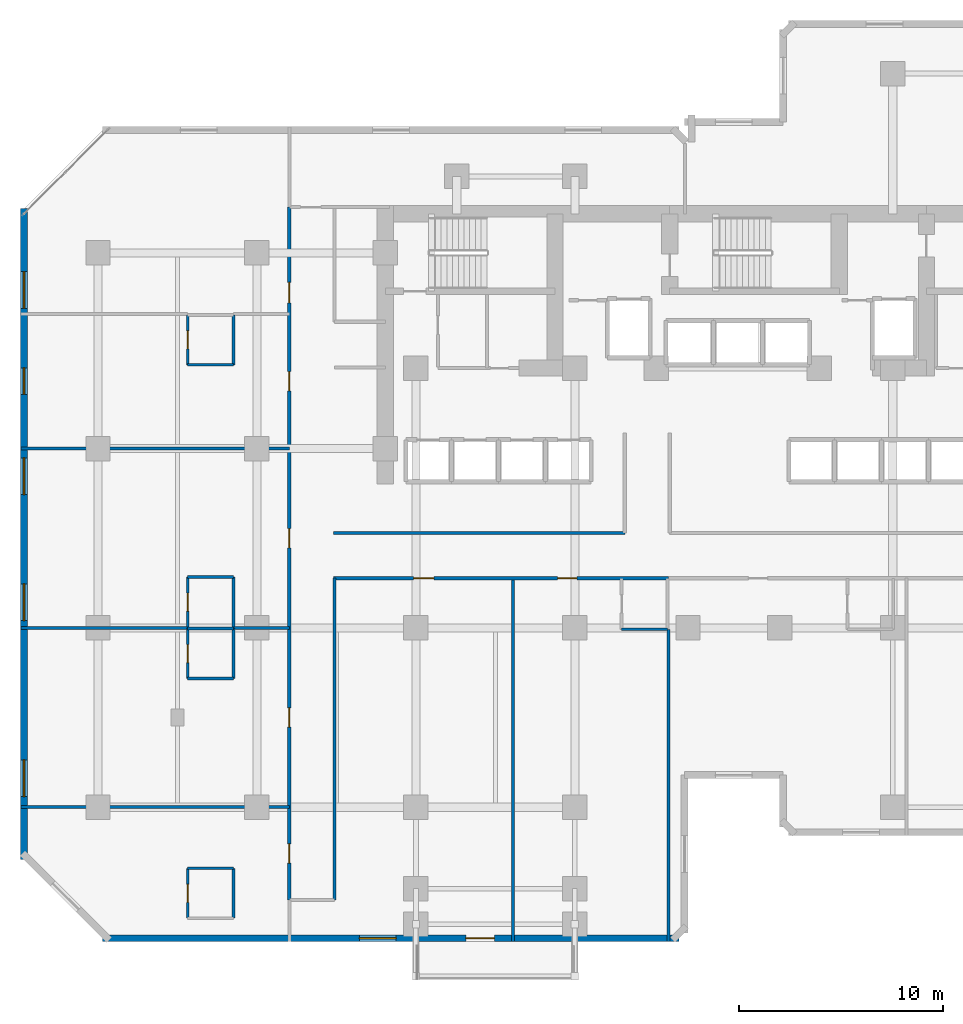
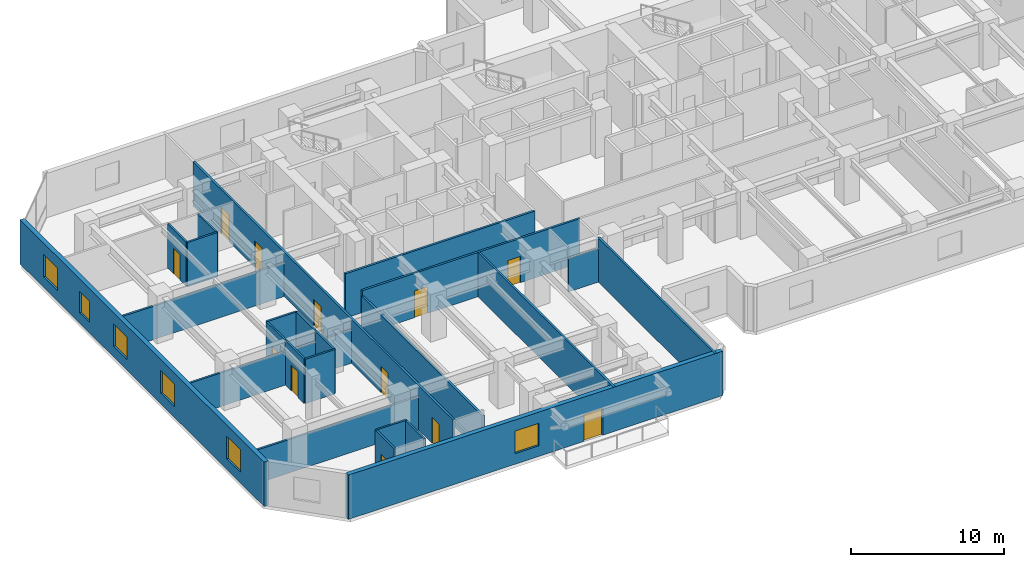
# One storey, part 6 of 12: 26 walls, 12 doors, 6 windows, 18 openings.
"""IFC4 building model written with IfcOpenShell, lengths in metres."""

from ifc_helpers import new_model, si_unit, direction, frame, frame_2d, origin, place, context, subcontext, project, spatial, rectangle, extrude, material, layer, layer_set, type_object, element, fill, save


model = new_model("IFC4")

# Units and contexts
model_context = context("Model", 3, precision=1e-05, world=origin(), true_north=direction((0.0, 1.0)))
body_context = subcontext(model_context, "Body", "Model", "MODEL_VIEW")
ifc_project = project(units=[si_unit("LENGTHUNIT", "METRE"), si_unit("AREAUNIT", "SQUARE_METRE"), si_unit("VOLUMEUNIT", "CUBIC_METRE"), si_unit("PLANEANGLEUNIT", "RADIAN"), si_unit("MASSUNIT", "GRAM", prefix="KILO")], contexts=[model_context])

# Site, building, storey
site_placement = place(None, origin())
site = spatial("IfcSite", under=ifc_project, at=site_placement, CompositionType="ELEMENT")
building_placement = place(site_placement, origin())
building = spatial("IfcBuilding", under=site, at=building_placement, Name="Kestravale Grand Hotel", CompositionType="ELEMENT")
storey_placement = place(building_placement, frame((0.0, 0.0, 99.39990234375)))
storey = spatial("IfcBuildingStorey", under=building, at=storey_placement, Name="L24", CompositionType="ELEMENT", Elevation=99.39990234375)

# Wall, openings, door, window
ifc_material_1 = material(Name="Precast concrete f'c 45 MPa", Category="concrete")
ifc_layer_1 = layer(ifc_material_1, 0.340087890625)
ifc_layer_set_1 = layer_set([ifc_layer_1], Name="EW-PREC-340")
wall_type_1 = type_object("IfcWallType", Name="EW-PREC-340", PredefinedType="SOLIDWALL", material=ifc_layer_set_1)
wall_1_placement = place(storey_placement, frame((8.030029296875, 4.77001953125, 0.0), z_axis=(0.0, 0.0, 1.0), x_axis=(1.0, 0.0, 0.0)))
wall_1 = element("IfcWall", 1, at=wall_1_placement, inside=storey, type_object=wall_type_1, Name="L24 fluted precast facade wall 1", PredefinedType="SOLIDWALL", context=body_context, shape_type="SweptSolid", body=[
    extrude(rectangle(XDim=28.2900390625, YDim=0.340087890625, at=frame_2d((14.14501953125, 0.0))), origin(), (0.0, 0.0, 1.0), 3.5400390625),
])
opening_1_placement = place(wall_1_placement, frame((17.820068359375, 0.0, 0.0)))
opening_1 = element("IfcOpeningElement", 2, at=opening_1_placement, cuts=wall_1, Name="Opening D-TERR-1400", PredefinedType="OPENING", context=body_context, shape_type="SweptSolid", body=[
    extrude(rectangle(XDim=1.39990234375, YDim=2.14990234375, at=frame_2d((0.699951171875, 1.074951171875))), frame((0.0, 0.179931640625, 0.0), z_axis=(0.0, -1.0, 0.0), x_axis=(1.0, 0.0, 0.0)), (0.0, 0.0, 1.0), 0.360107421875),
])
opening_2_placement = place(wall_1_placement, frame((12.594970703125, 0.0, 0.85009765625)))
opening_2 = element("IfcOpeningElement", 3, at=opening_2_placement, cuts=wall_1, Name="Opening W-GUEST-1800", PredefinedType="OPENING", context=body_context, shape_type="SweptSolid", body=[
    extrude(rectangle(XDim=1.800048828125, YDim=1.800048828125, at=frame_2d((0.89990234375, 0.89990234375))), frame((0.0, 0.179931640625, 0.0), z_axis=(0.0, -1.0, 0.0), x_axis=(1.0, 0.0, 0.0)), (0.0, 0.0, 1.0), 0.360107421875),
])
ifc_material_2 = material(Name="Insulated glazed champagne-bronze aluminium door", Category="aluminium")
door_type_1 = type_object("IfcDoorType", Name="D-TERR-1400", OperationType="NOTDEFINED", PredefinedType="DOOR", material=ifc_material_2)
door_1_placement = place(opening_1_placement, origin())
door_1 = element("IfcDoor", 4, at=door_1_placement, inside=storey, type_object=door_type_1, Name="L24 outdoor garden terrace door", OperationType="DOUBLE_DOOR_SINGLE_SWING", OverallHeight=2.14990234375, OverallWidth=1.39990234375, PredefinedType="DOOR", context=body_context, shape_type="SweptSolid", body=[
    extrude(rectangle(XDim=1.39990234375, YDim=2.14990234375, at=frame_2d((0.699951171875, 1.074951171875))), frame((0.0, 0.02490234375, 0.0), z_axis=(0.0, -1.0, 0.0), x_axis=(1.0, 0.0, 0.0)), (0.0, 0.0, 1.0), 0.050048828125),
])
fill(opening_1, door_1)
ifc_material_3 = material(Name="Insulated low-E double glazing in aluminium frame", Category="aluminium")
window_type_1 = type_object("IfcWindowType", Name="W-GUEST-1800", PartitioningType="DOUBLE_PANEL_VERTICAL", PredefinedType="WINDOW", material=ifc_material_3)
window_1_placement = place(opening_2_placement, origin())
window_1 = element("IfcWindow", 5, at=window_1_placement, inside=storey, type_object=window_type_1, Name="L24 exterior window 1.1", OverallHeight=1.800048828125, OverallWidth=1.800048828125, PartitioningType="SINGLE_PANEL", PredefinedType="WINDOW", context=body_context, shape_type="SweptSolid", body=[
    extrude(rectangle(XDim=1.800048828125, YDim=1.800048828125, at=frame_2d((0.89990234375, 0.89990234375))), frame((0.0, 0.030029296875, 0.0), z_axis=(0.0, -1.0, 0.0), x_axis=(1.0, 0.0, 0.0)), (0.0, 0.0, 1.0), 0.06005859375),
])
fill(opening_2, window_1)

# Wall, openings, windows
wall_2_placement = place(storey_placement, frame((4.169921875, 40.570068359375, 0.0), z_axis=(0.0, 0.0, 1.0), x_axis=(0.0, -1.0, 0.0)))
wall_2 = element("IfcWall", 6, at=wall_2_placement, inside=storey, type_object=wall_type_1, Name="L24 fluted precast facade wall 19", PredefinedType="SOLIDWALL", context=body_context, shape_type="SweptSolid", body=[
    extrude(rectangle(XDim=31.940185546875, YDim=0.340087890625, at=frame_2d((15.97021484375, 0.0))), origin(), (0.0, 0.0, 1.0), 3.5400390625),
])
opening_3_placement = place(wall_2_placement, frame((3.092529296875, 0.0, 0.85009765625)))
opening_3 = element("IfcOpeningElement", 7, at=opening_3_placement, cuts=wall_2, Name="Opening W-GUEST-1800", PredefinedType="OPENING", context=body_context, shape_type="SweptSolid", body=[
    extrude(rectangle(XDim=1.800048828125, YDim=1.800048828125, at=frame_2d((0.89990234375, 0.89990234375))), frame((0.0, 0.179931640625, 0.0), z_axis=(0.0, -1.0, 0.0), x_axis=(1.0, 0.0, 0.0)), (0.0, 0.0, 1.0), 0.360107421875),
])
opening_4_placement = place(wall_2_placement, frame((12.2275390625, 0.0, 0.85009765625)))
opening_4 = element("IfcOpeningElement", 8, at=opening_4_placement, cuts=wall_2, Name="Opening W-GUEST-1800", PredefinedType="OPENING", context=body_context, shape_type="SweptSolid", body=[
    extrude(rectangle(XDim=1.800048828125, YDim=1.800048828125, at=frame_2d((0.89990234375, 0.89990234375))), frame((0.0, 0.179931640625, 0.0), z_axis=(0.0, -1.0, 0.0), x_axis=(1.0, 0.0, 0.0)), (0.0, 0.0, 1.0), 0.360107421875),
])
opening_5_placement = place(wall_2_placement, frame((18.41259765625, 0.0, 0.85009765625)))
opening_5 = element("IfcOpeningElement", 9, at=opening_5_placement, cuts=wall_2, Name="Opening W-GUEST-1800", PredefinedType="OPENING", context=body_context, shape_type="SweptSolid", body=[
    extrude(rectangle(XDim=1.800048828125, YDim=1.800048828125, at=frame_2d((0.89990234375, 0.89990234375))), frame((0.0, 0.179931640625, 0.0), z_axis=(0.0, -1.0, 0.0), x_axis=(1.0, 0.0, 0.0)), (0.0, 0.0, 1.0), 0.360107421875),
])
opening_6_placement = place(wall_2_placement, frame((27.047607421875, 0.0, 0.85009765625)))
opening_6 = element("IfcOpeningElement", 10, at=opening_6_placement, cuts=wall_2, Name="Opening W-GUEST-1800", PredefinedType="OPENING", context=body_context, shape_type="SweptSolid", body=[
    extrude(rectangle(XDim=1.800048828125, YDim=1.800048828125, at=frame_2d((0.89990234375, 0.89990234375))), frame((0.0, 0.179931640625, 0.0), z_axis=(0.0, -1.0, 0.0), x_axis=(1.0, 0.0, 0.0)), (0.0, 0.0, 1.0), 0.360107421875),
])
opening_7_placement = place(wall_2_placement, frame((7.81005859375, 0.0, 0.85009765625)))
opening_7 = element("IfcOpeningElement", 11, at=opening_7_placement, cuts=wall_2, Name="Opening W-GUEST-1300", PredefinedType="OPENING", context=body_context, shape_type="SweptSolid", body=[
    extrude(rectangle(XDim=1.300048828125, YDim=1.699951171875, at=frame_2d((0.64990234375, 0.85009765625))), frame((0.0, 0.179931640625, 0.0), z_axis=(0.0, -1.0, 0.0), x_axis=(1.0, 0.0, 0.0)), (0.0, 0.0, 1.0), 0.360107421875),
])
ifc_material_4 = material(Name="Insulated low-E double glazing in aluminium frame", Category="aluminium")
window_type_2 = type_object("IfcWindowType", Name="W-GUEST-1300", PartitioningType="SINGLE_PANEL", PredefinedType="WINDOW", material=ifc_material_4)
window_2_placement = place(opening_7_placement, origin())
window_2 = element("IfcWindow", 12, at=window_2_placement, inside=storey, type_object=window_type_2, Name="L24 guestroom envelope window 1", OverallHeight=1.699951171875, OverallWidth=1.300048828125, PartitioningType="SINGLE_PANEL", PredefinedType="WINDOW", context=body_context, shape_type="SweptSolid", body=[
    extrude(rectangle(XDim=1.300048828125, YDim=1.699951171875, at=frame_2d((0.64990234375, 0.85009765625))), frame((0.0, 0.030029296875, 0.0), z_axis=(0.0, -1.0, 0.0), x_axis=(1.0, 0.0, 0.0)), (0.0, 0.0, 1.0), 0.06005859375),
])
fill(opening_7, window_2)
window_3_placement = place(opening_3_placement, origin())
window_3 = element("IfcWindow", 13, at=window_3_placement, inside=storey, type_object=window_type_1, Name="L24 exterior window 19.1", OverallHeight=1.800048828125, OverallWidth=1.800048828125, PartitioningType="SINGLE_PANEL", PredefinedType="WINDOW", context=body_context, shape_type="SweptSolid", body=[
    extrude(rectangle(XDim=1.800048828125, YDim=1.800048828125, at=frame_2d((0.89990234375, 0.89990234375))), frame((0.0, 0.030029296875, 0.0), z_axis=(0.0, -1.0, 0.0), x_axis=(1.0, 0.0, 0.0)), (0.0, 0.0, 1.0), 0.06005859375),
])
fill(opening_3, window_3)
window_4_placement = place(opening_4_placement, origin())
window_4 = element("IfcWindow", 14, at=window_4_placement, inside=storey, type_object=window_type_1, Name="L24 exterior window 19.2", OverallHeight=1.800048828125, OverallWidth=1.800048828125, PartitioningType="SINGLE_PANEL", PredefinedType="WINDOW", context=body_context, shape_type="SweptSolid", body=[
    extrude(rectangle(XDim=1.800048828125, YDim=1.800048828125, at=frame_2d((0.89990234375, 0.89990234375))), frame((0.0, 0.030029296875, 0.0), z_axis=(0.0, -1.0, 0.0), x_axis=(1.0, 0.0, 0.0)), (0.0, 0.0, 1.0), 0.06005859375),
])
fill(opening_4, window_4)
window_5_placement = place(opening_5_placement, origin())
window_5 = element("IfcWindow", 15, at=window_5_placement, inside=storey, type_object=window_type_1, Name="L24 exterior window 19.3", OverallHeight=1.800048828125, OverallWidth=1.800048828125, PartitioningType="SINGLE_PANEL", PredefinedType="WINDOW", context=body_context, shape_type="SweptSolid", body=[
    extrude(rectangle(XDim=1.800048828125, YDim=1.800048828125, at=frame_2d((0.89990234375, 0.89990234375))), frame((0.0, 0.030029296875, 0.0), z_axis=(0.0, -1.0, 0.0), x_axis=(1.0, 0.0, 0.0)), (0.0, 0.0, 1.0), 0.06005859375),
])
fill(opening_5, window_5)
window_6_placement = place(opening_6_placement, origin())
window_6 = element("IfcWindow", 16, at=window_6_placement, inside=storey, type_object=window_type_1, Name="L24 exterior window 19.4", OverallHeight=1.800048828125, OverallWidth=1.800048828125, PartitioningType="SINGLE_PANEL", PredefinedType="WINDOW", context=body_context, shape_type="SweptSolid", body=[
    extrude(rectangle(XDim=1.800048828125, YDim=1.800048828125, at=frame_2d((0.89990234375, 0.89990234375))), frame((0.0, 0.030029296875, 0.0), z_axis=(0.0, -1.0, 0.0), x_axis=(1.0, 0.0, 0.0)), (0.0, 0.0, 1.0), 0.06005859375),
])
fill(opening_6, window_6)

# Wall
ifc_material_5 = material(Name="Acoustic fire-rated gypsum board partition", Category="other")
ifc_layer_2 = layer(ifc_material_5, 0.159912109375)
ifc_layer_set_2 = layer_set([ifc_layer_2], Name="IW-CORR-160")
wall_type_2 = type_object("IfcWallType", Name="IW-CORR-160", PredefinedType="PARTITIONING", material=ifc_layer_set_2)
wall_3_placement = place(storey_placement, frame((19.35009765625, 24.659912109375, 0.0), z_axis=(0.0, 0.0, 1.0), x_axis=(1.0, 0.0, 0.0)))
element("IfcWall", 17, at=wall_3_placement, inside=storey, type_object=wall_type_2, Name="W-L24-CW-N", PredefinedType="PARTITIONING", context=body_context, shape_type="SweptSolid", body=[
    extrude(rectangle(XDim=14.2998046875, YDim=0.159912109375, at=frame_2d((7.14990234375, 0.0))), origin(), (0.0, 0.0, 1.0), 3.5400390625),
])

# Wall, openings, doors
wall_4_placement = place(storey_placement, frame((19.35009765625, 22.43994140625, 0.0), z_axis=(0.0, 0.0, 1.0), x_axis=(1.0, 0.0, 0.0)))
wall_4 = element("IfcWall", 18, at=wall_4_placement, inside=storey, type_object=wall_type_2, Name="W-L24-CW-S", PredefinedType="PARTITIONING", context=body_context, shape_type="SweptSolid", body=[
    extrude(rectangle(XDim=16.449951171875, YDim=0.159912109375, at=frame_2d((8.22509765625, 0.0))), origin(), (0.0, 0.0, 1.0), 3.5400390625),
])
opening_8_placement = place(wall_4_placement, frame((3.9326171875, 0.0, 0.0)))
opening_8 = element("IfcOpeningElement", 19, at=opening_8_placement, cuts=wall_4, Name="Opening D-GUEST-1000", PredefinedType="OPENING", context=body_context, shape_type="SweptSolid", body=[
    extrude(rectangle(XDim=1.0, YDim=2.14990234375, at=frame_2d((0.5, 1.074951171875))), frame((0.0, 0.08984375, 0.0), z_axis=(0.0, -1.0, 0.0), x_axis=(1.0, 0.0, 0.0)), (0.0, 0.0, 1.0), 0.179931640625),
])
opening_9_placement = place(wall_4_placement, frame((10.99755859375, 0.0, 0.0)))
opening_9 = element("IfcOpeningElement", 20, at=opening_9_placement, cuts=wall_4, Name="Opening D-GUEST-950", PredefinedType="OPENING", context=body_context, shape_type="SweptSolid", body=[
    extrude(rectangle(XDim=0.949951171875, YDim=2.10009765625, at=frame_2d((0.47509765625, 1.050048828125))), frame((0.0, 0.08984375, 0.0), z_axis=(0.0, -1.0, 0.0), x_axis=(1.0, 0.0, 0.0)), (0.0, 0.0, 1.0), 0.179931640625),
])
ifc_material_6 = material(Name="Accessible walnut veneer hotel entrance fire door", Category="wood")
door_type_2 = type_object("IfcDoorType", Name="D-GUEST-1000", OperationType="NOTDEFINED", PredefinedType="DOOR", material=ifc_material_6)
door_2_placement = place(opening_8_placement, origin())
door_2 = element("IfcDoor", 21, at=door_2_placement, inside=storey, type_object=door_type_2, Name="D-L24-AMW", OperationType="SINGLE_SWING_LEFT", OverallHeight=2.14990234375, OverallWidth=1.0, PredefinedType="DOOR", context=body_context, shape_type="SweptSolid", body=[
    extrude(rectangle(XDim=1.0, YDim=2.14990234375, at=frame_2d((0.5, 1.074951171875))), frame((0.0, 0.02490234375, 0.0), z_axis=(0.0, -1.0, 0.0), x_axis=(1.0, 0.0, 0.0)), (0.0, 0.0, 1.0), 0.050048828125),
])
fill(opening_8, door_2)
ifc_material_7 = material(Name="Walnut veneer hotel guestroom entrance fire door", Category="wood")
door_type_3 = type_object("IfcDoorType", Name="D-GUEST-950", OperationType="NOTDEFINED", PredefinedType="DOOR", material=ifc_material_7)
door_3_placement = place(opening_9_placement, origin())
door_3 = element("IfcDoor", 22, at=door_3_placement, inside=storey, type_object=door_type_3, Name="D-L24-U01-ENT", OperationType="SINGLE_SWING_LEFT", OverallHeight=2.10009765625, OverallWidth=0.949951171875, PredefinedType="DOOR", context=body_context, shape_type="SweptSolid", body=[
    extrude(rectangle(XDim=0.949951171875, YDim=2.10009765625, at=frame_2d((0.47509765625, 1.050048828125))), frame((0.0, 0.02490234375, 0.0), z_axis=(0.0, -1.0, 0.0), x_axis=(1.0, 0.0, 0.0)), (0.0, 0.0, 1.0), 0.050048828125),
])
fill(opening_9, door_3)

wall_5_placement = place(storey_placement, frame((17.18994140625, 6.64990234375, 0.0), z_axis=(0.0, 0.0, 1.0), x_axis=(0.0, 1.0, 0.0)))
wall_5 = element("IfcWall", 23, at=wall_5_placement, inside=storey, type_object=wall_type_2, Name="W-L24-SW-W", PredefinedType="PARTITIONING", context=body_context, shape_type="SweptSolid", body=[
    extrude(rectangle(XDim=34.0, YDim=0.159912109375, at=frame_2d((17.0, 0.0))), origin(), (0.0, 0.0, 1.0), 3.5400390625),
])
opening_10_placement = place(wall_5_placement, frame((1.800048828125, 0.0, 0.0)))
opening_10 = element("IfcOpeningElement", 24, at=opening_10_placement, cuts=wall_5, Name="Opening D-GUEST-950", PredefinedType="OPENING", context=body_context, shape_type="SweptSolid", body=[
    extrude(rectangle(XDim=0.949951171875, YDim=2.10009765625, at=frame_2d((0.47509765625, 1.050048828125))), frame((0.0, 0.08984375, 0.0), z_axis=(0.0, -1.0, 0.0), x_axis=(1.0, 0.0, 0.0)), (0.0, 0.0, 1.0), 0.179931640625),
])
opening_11_placement = place(wall_5_placement, frame((8.47509765625, 0.0, 0.0)))
opening_11 = element("IfcOpeningElement", 25, at=opening_11_placement, cuts=wall_5, Name="Opening D-GUEST-950", PredefinedType="OPENING", context=body_context, shape_type="SweptSolid", body=[
    extrude(rectangle(XDim=0.949951171875, YDim=2.10009765625, at=frame_2d((0.47509765625, 1.050048828125))), frame((0.0, 0.08984375, 0.0), z_axis=(0.0, -1.0, 0.0), x_axis=(1.0, 0.0, 0.0)), (0.0, 0.0, 1.0), 0.179931640625),
])
opening_12_placement = place(wall_5_placement, frame((17.27490234375, 0.0, 0.0)))
opening_12 = element("IfcOpeningElement", 26, at=opening_12_placement, cuts=wall_5, Name="Opening D-GUEST-950", PredefinedType="OPENING", context=body_context, shape_type="SweptSolid", body=[
    extrude(rectangle(XDim=0.949951171875, YDim=2.10009765625, at=frame_2d((0.47509765625, 1.050048828125))), frame((0.0, 0.08984375, 0.0), z_axis=(0.0, -1.0, 0.0), x_axis=(1.0, 0.0, 0.0)), (0.0, 0.0, 1.0), 0.179931640625),
])
opening_13_placement = place(wall_5_placement, frame((24.97509765625, 0.0, 0.0)))
opening_13 = element("IfcOpeningElement", 27, at=opening_13_placement, cuts=wall_5, Name="Opening D-GUEST-950", PredefinedType="OPENING", context=body_context, shape_type="SweptSolid", body=[
    extrude(rectangle(XDim=0.949951171875, YDim=2.10009765625, at=frame_2d((0.47509765625, 1.050048828125))), frame((0.0, 0.08984375, 0.0), z_axis=(0.0, -1.0, 0.0), x_axis=(1.0, 0.0, 0.0)), (0.0, 0.0, 1.0), 0.179931640625),
])
opening_14_placement = place(wall_5_placement, frame((29.300048828125, 0.0, 0.0)))
opening_14 = element("IfcOpeningElement", 28, at=opening_14_placement, cuts=wall_5, Name="Opening D-GUEST-1000", PredefinedType="OPENING", context=body_context, shape_type="SweptSolid", body=[
    extrude(rectangle(XDim=1.0, YDim=2.14990234375, at=frame_2d((0.5, 1.074951171875))), frame((0.0, 0.08984375, 0.0), z_axis=(0.0, -1.0, 0.0), x_axis=(1.0, 0.0, 0.0)), (0.0, 0.0, 1.0), 0.179931640625),
])
door_4_placement = place(opening_14_placement, origin())
door_4 = element("IfcDoor", 29, at=door_4_placement, inside=storey, type_object=door_type_2, Name="D-L24-AMWW", OperationType="SINGLE_SWING_LEFT", OverallHeight=2.14990234375, OverallWidth=1.0, PredefinedType="DOOR", context=body_context, shape_type="SweptSolid", body=[
    extrude(rectangle(XDim=1.0, YDim=2.14990234375, at=frame_2d((0.5, 1.074951171875))), frame((0.0, 0.02490234375, 0.0), z_axis=(0.0, -1.0, 0.0), x_axis=(1.0, 0.0, 0.0)), (0.0, 0.0, 1.0), 0.050048828125),
])
fill(opening_14, door_4)
door_5_placement = place(opening_10_placement, origin())
door_5 = element("IfcDoor", 30, at=door_5_placement, inside=storey, type_object=door_type_3, Name="D-L24-U03-ENT", OperationType="SINGLE_SWING_RIGHT", OverallHeight=2.10009765625, OverallWidth=0.949951171875, PredefinedType="DOOR", context=body_context, shape_type="SweptSolid", body=[
    extrude(rectangle(XDim=0.949951171875, YDim=2.10009765625, at=frame_2d((0.47509765625, 1.050048828125))), frame((0.0, 0.02490234375, 0.0), z_axis=(0.0, -1.0, 0.0), x_axis=(1.0, 0.0, 0.0)), (0.0, 0.0, 1.0), 0.050048828125),
])
fill(opening_10, door_5)
door_6_placement = place(opening_11_placement, origin())
door_6 = element("IfcDoor", 31, at=door_6_placement, inside=storey, type_object=door_type_3, Name="D-L24-U04-ENT", OperationType="SINGLE_SWING_RIGHT", OverallHeight=2.10009765625, OverallWidth=0.949951171875, PredefinedType="DOOR", context=body_context, shape_type="SweptSolid", body=[
    extrude(rectangle(XDim=0.949951171875, YDim=2.10009765625, at=frame_2d((0.47509765625, 1.050048828125))), frame((0.0, 0.02490234375, 0.0), z_axis=(0.0, -1.0, 0.0), x_axis=(1.0, 0.0, 0.0)), (0.0, 0.0, 1.0), 0.050048828125),
])
fill(opening_11, door_6)
door_7_placement = place(opening_12_placement, origin())
door_7 = element("IfcDoor", 32, at=door_7_placement, inside=storey, type_object=door_type_3, Name="D-L24-U05-ENT", OperationType="SINGLE_SWING_RIGHT", OverallHeight=2.10009765625, OverallWidth=0.949951171875, PredefinedType="DOOR", context=body_context, shape_type="SweptSolid", body=[
    extrude(rectangle(XDim=0.949951171875, YDim=2.10009765625, at=frame_2d((0.47509765625, 1.050048828125))), frame((0.0, 0.02490234375, 0.0), z_axis=(0.0, -1.0, 0.0), x_axis=(1.0, 0.0, 0.0)), (0.0, 0.0, 1.0), 0.050048828125),
])
fill(opening_12, door_7)
door_8_placement = place(opening_13_placement, origin())
door_8 = element("IfcDoor", 33, at=door_8_placement, inside=storey, type_object=door_type_3, Name="D-L24-U06-ENT", OperationType="SINGLE_SWING_RIGHT", OverallHeight=2.10009765625, OverallWidth=0.949951171875, PredefinedType="DOOR", context=body_context, shape_type="SweptSolid", body=[
    extrude(rectangle(XDim=0.949951171875, YDim=2.10009765625, at=frame_2d((0.47509765625, 1.050048828125))), frame((0.0, 0.02490234375, 0.0), z_axis=(0.0, -1.0, 0.0), x_axis=(1.0, 0.0, 0.0)), (0.0, 0.0, 1.0), 0.050048828125),
])
fill(opening_13, door_8)

# Walls
wall_6_placement = place(storey_placement, frame((19.409912109375, 6.64990234375, 0.0), z_axis=(0.0, 0.0, 1.0), x_axis=(0.0, 1.0, 0.0)))
element("IfcWall", 34, at=wall_6_placement, inside=storey, type_object=wall_type_2, Name="W-L24-SW-E", PredefinedType="PARTITIONING", context=body_context, shape_type="SweptSolid", body=[
    extrude(rectangle(XDim=15.7900390625, YDim=0.159912109375, at=frame_2d((7.89501953125, 0.0))), origin(), (0.0, 0.0, 1.0), 3.0830078125),
])
ifc_material_8 = material(Name="Moisture-resistant tile-backer plumbing chase wall", Category="other")
ifc_layer_3 = layer(ifc_material_8, 0.139892578125)
ifc_layer_set_3 = layer_set([ifc_layer_3], Name="IW-PLB-140")
wall_type_3 = type_object("IfcWallType", Name="IW-PLB-140", PredefinedType="PLUMBINGWALL", material=ifc_layer_set_3)
wall_7_placement = place(storey_placement, frame((33.489990234375, 19.929931640625, 0.0), z_axis=(0.0, 0.0, 1.0), x_axis=(1.0, 0.0, 0.0)))
element("IfcWall", 35, at=wall_7_placement, inside=storey, type_object=wall_type_3, Name="W-L24-U01-BS", PredefinedType="PLUMBINGWALL", context=body_context, shape_type="SweptSolid", body=[
    extrude(rectangle(XDim=2.25, YDim=0.139892578125, at=frame_2d((1.125, 0.0))), origin(), (0.0, 0.0, 1.0), 2.67919921875),
])

# Wall, opening, door
wall_8_placement = place(storey_placement, frame((12.199951171875, 5.75, 0.0), z_axis=(0.0, 0.0, 1.0), x_axis=(0.0, 1.0, 0.0)))
wall_8 = element("IfcWall", 36, at=wall_8_placement, inside=storey, type_object=wall_type_3, Name="W-L24-U03-BW", PredefinedType="PLUMBINGWALL", context=body_context, shape_type="SweptSolid", body=[
    extrude(rectangle(XDim=2.449951171875, YDim=0.139892578125, at=frame_2d((1.22509765625, 0.0))), origin(), (0.0, 0.0, 1.0), 3.5400390625),
])
opening_15_placement = place(wall_8_placement, frame((0.784912109375, 0.0, 0.0)))
opening_15 = element("IfcOpeningElement", 37, at=opening_15_placement, cuts=wall_8, Name="Opening D-BATH-880", PredefinedType="OPENING", context=body_context, shape_type="SweptSolid", body=[
    extrude(rectangle(XDim=0.8798828125, YDim=2.050048828125, at=frame_2d((0.43994140625, 1.02490234375))), frame((0.0, 0.079833984375, 0.0), z_axis=(0.0, -1.0, 0.0), x_axis=(1.0, 0.0, 0.0)), (0.0, 0.0, 1.0), 0.159912109375),
])
ifc_material_9 = material(Name="Moisture-sealed walnut en-suite bathroom door", Category="wood")
door_type_4 = type_object("IfcDoorType", Name="D-BATH-880", OperationType="NOTDEFINED", PredefinedType="DOOR", material=ifc_material_9)
door_9_placement = place(opening_15_placement, origin())
door_9 = element("IfcDoor", 38, at=door_9_placement, inside=storey, type_object=door_type_4, Name="D-L24-U03-BATH", OperationType="SINGLE_SWING_LEFT", OverallHeight=2.050048828125, OverallWidth=0.8798828125, PredefinedType="DOOR", context=body_context, shape_type="SweptSolid", body=[
    extrude(rectangle(XDim=0.8798828125, YDim=2.050048828125, at=frame_2d((0.43994140625, 1.02490234375))), frame((0.0, 0.02490234375, 0.0), z_axis=(0.0, -1.0, 0.0), x_axis=(1.0, 0.0, 0.0)), (0.0, 0.0, 1.0), 0.050048828125),
])
fill(opening_15, door_9)

# Walls
wall_9_placement = place(storey_placement, frame((14.449951171875, 5.75, 0.0), z_axis=(0.0, 0.0, 1.0), x_axis=(0.0, 1.0, 0.0)))
element("IfcWall", 39, at=wall_9_placement, inside=storey, type_object=wall_type_3, Name="W-L24-U03-BE", PredefinedType="PLUMBINGWALL", context=body_context, shape_type="SweptSolid", body=[
    extrude(rectangle(XDim=2.449951171875, YDim=0.139892578125, at=frame_2d((1.22509765625, 0.0))), origin(), (0.0, 0.0, 1.0), 3.5400390625),
])
wall_10_placement = place(storey_placement, frame((12.199951171875, 8.199951171875, 0.0), z_axis=(0.0, 0.0, 1.0), x_axis=(1.0, 0.0, 0.0)))
element("IfcWall", 40, at=wall_10_placement, inside=storey, type_object=wall_type_3, Name="W-L24-U03-BN", PredefinedType="PLUMBINGWALL", context=body_context, shape_type="SweptSolid", body=[
    extrude(rectangle(XDim=2.25, YDim=0.139892578125, at=frame_2d((1.125, 0.0))), origin(), (0.0, 0.0, 1.0), 3.5400390625),
])

# Wall, opening, door
wall_11_placement = place(storey_placement, frame((12.199951171875, 17.510009765625, 0.0), z_axis=(0.0, 0.0, 1.0), x_axis=(0.0, 1.0, 0.0)))
wall_11 = element("IfcWall", 41, at=wall_11_placement, inside=storey, type_object=wall_type_3, Name="W-L24-U04-BW", PredefinedType="PLUMBINGWALL", context=body_context, shape_type="SweptSolid", body=[
    extrude(rectangle(XDim=2.449951171875, YDim=0.139892578125, at=frame_2d((1.22509765625, 0.0))), origin(), (0.0, 0.0, 1.0), 3.5400390625),
])
opening_16_placement = place(wall_11_placement, frame((0.784912109375, 0.0, 0.0)))
opening_16 = element("IfcOpeningElement", 42, at=opening_16_placement, cuts=wall_11, Name="Opening D-BATH-880", PredefinedType="OPENING", context=body_context, shape_type="SweptSolid", body=[
    extrude(rectangle(XDim=0.8798828125, YDim=2.050048828125, at=frame_2d((0.43994140625, 1.02490234375))), frame((0.0, 0.079833984375, 0.0), z_axis=(0.0, -1.0, 0.0), x_axis=(1.0, 0.0, 0.0)), (0.0, 0.0, 1.0), 0.159912109375),
])
door_10_placement = place(opening_16_placement, origin())
door_10 = element("IfcDoor", 43, at=door_10_placement, inside=storey, type_object=door_type_4, Name="D-L24-U04-BATH", OperationType="SINGLE_SWING_LEFT", OverallHeight=2.050048828125, OverallWidth=0.8798828125, PredefinedType="DOOR", context=body_context, shape_type="SweptSolid", body=[
    extrude(rectangle(XDim=0.8798828125, YDim=2.050048828125, at=frame_2d((0.43994140625, 1.02490234375))), frame((0.0, 0.02490234375, 0.0), z_axis=(0.0, -1.0, 0.0), x_axis=(1.0, 0.0, 0.0)), (0.0, 0.0, 1.0), 0.050048828125),
])
fill(opening_16, door_10)

# Walls
wall_12_placement = place(storey_placement, frame((14.449951171875, 17.510009765625, 0.0), z_axis=(0.0, 0.0, 1.0), x_axis=(0.0, 1.0, 0.0)))
element("IfcWall", 44, at=wall_12_placement, inside=storey, type_object=wall_type_3, Name="W-L24-U04-BE", PredefinedType="PLUMBINGWALL", context=body_context, shape_type="SweptSolid", body=[
    extrude(rectangle(XDim=2.449951171875, YDim=0.139892578125, at=frame_2d((1.22509765625, 0.0))), origin(), (0.0, 0.0, 1.0), 3.5400390625),
])
wall_13_placement = place(storey_placement, frame((12.199951171875, 17.510009765625, 0.0), z_axis=(0.0, 0.0, 1.0), x_axis=(1.0, 0.0, 0.0)))
element("IfcWall", 45, at=wall_13_placement, inside=storey, type_object=wall_type_3, Name="W-L24-U04-BS", PredefinedType="PLUMBINGWALL", context=body_context, shape_type="SweptSolid", body=[
    extrude(rectangle(XDim=2.25, YDim=0.139892578125, at=frame_2d((1.125, 0.0))), origin(), (0.0, 0.0, 1.0), 3.5400390625),
])
wall_14_placement = place(storey_placement, frame((12.199951171875, 19.9599609375, 0.0), z_axis=(0.0, 0.0, 1.0), x_axis=(1.0, 0.0, 0.0)))
element("IfcWall", 46, at=wall_14_placement, inside=storey, type_object=wall_type_3, Name="W-L24-U04-BN", PredefinedType="PLUMBINGWALL", context=body_context, shape_type="SweptSolid", body=[
    extrude(rectangle(XDim=2.25, YDim=0.139892578125, at=frame_2d((1.125, 0.0))), origin(), (0.0, 0.0, 1.0), 2.67919921875),
])

# Wall, opening, door
wall_15_placement = place(storey_placement, frame((12.199951171875, 20.0400390625, 0.0), z_axis=(0.0, 0.0, 1.0), x_axis=(0.0, 1.0, 0.0)))
wall_15 = element("IfcWall", 47, at=wall_15_placement, inside=storey, type_object=wall_type_3, Name="W-L24-U05-BW", PredefinedType="PLUMBINGWALL", context=body_context, shape_type="SweptSolid", body=[
    extrude(rectangle(XDim=2.449951171875, YDim=0.139892578125, at=frame_2d((1.22509765625, 0.0))), origin(), (0.0, 0.0, 1.0), 3.5400390625),
])
opening_17_placement = place(wall_15_placement, frame((0.784912109375, 0.0, 0.0)))
opening_17 = element("IfcOpeningElement", 48, at=opening_17_placement, cuts=wall_15, Name="Opening D-BATH-880", PredefinedType="OPENING", context=body_context, shape_type="SweptSolid", body=[
    extrude(rectangle(XDim=0.8798828125, YDim=2.050048828125, at=frame_2d((0.43994140625, 1.02490234375))), frame((0.0, 0.079833984375, 0.0), z_axis=(0.0, -1.0, 0.0), x_axis=(1.0, 0.0, 0.0)), (0.0, 0.0, 1.0), 0.159912109375),
])
door_11_placement = place(opening_17_placement, origin())
door_11 = element("IfcDoor", 49, at=door_11_placement, inside=storey, type_object=door_type_4, Name="D-L24-U05-BATH", OperationType="SINGLE_SWING_LEFT", OverallHeight=2.050048828125, OverallWidth=0.8798828125, PredefinedType="DOOR", context=body_context, shape_type="SweptSolid", body=[
    extrude(rectangle(XDim=0.8798828125, YDim=2.050048828125, at=frame_2d((0.43994140625, 1.02490234375))), frame((0.0, 0.02490234375, 0.0), z_axis=(0.0, -1.0, 0.0), x_axis=(1.0, 0.0, 0.0)), (0.0, 0.0, 1.0), 0.050048828125),
])
fill(opening_17, door_11)

# Walls
wall_16_placement = place(storey_placement, frame((14.449951171875, 20.0400390625, 0.0), z_axis=(0.0, 0.0, 1.0), x_axis=(0.0, 1.0, 0.0)))
element("IfcWall", 50, at=wall_16_placement, inside=storey, type_object=wall_type_3, Name="W-L24-U05-BE", PredefinedType="PLUMBINGWALL", context=body_context, shape_type="SweptSolid", body=[
    extrude(rectangle(XDim=2.449951171875, YDim=0.139892578125, at=frame_2d((1.22509765625, 0.0))), origin(), (0.0, 0.0, 1.0), 3.5400390625),
])
wall_17_placement = place(storey_placement, frame((12.199951171875, 22.489990234375, 0.0), z_axis=(0.0, 0.0, 1.0), x_axis=(1.0, 0.0, 0.0)))
element("IfcWall", 51, at=wall_17_placement, inside=storey, type_object=wall_type_3, Name="W-L24-U05-BN", PredefinedType="PLUMBINGWALL", context=body_context, shape_type="SweptSolid", body=[
    extrude(rectangle(XDim=2.25, YDim=0.139892578125, at=frame_2d((1.125, 0.0))), origin(), (0.0, 0.0, 1.0), 3.5400390625),
])

# Wall, opening, door
wall_18_placement = place(storey_placement, frame((12.199951171875, 32.909912109375, 0.0), z_axis=(0.0, 0.0, 1.0), x_axis=(0.0, 1.0, 0.0)))
wall_18 = element("IfcWall", 52, at=wall_18_placement, inside=storey, type_object=wall_type_3, Name="W-L24-U06-BW", PredefinedType="PLUMBINGWALL", context=body_context, shape_type="SweptSolid", body=[
    extrude(rectangle(XDim=2.4501953125, YDim=0.139892578125, at=frame_2d((1.22509765625, 0.0))), origin(), (0.0, 0.0, 1.0), 3.5400390625),
])
opening_18_placement = place(wall_18_placement, frame((0.784912109375, 0.0, 0.0)))
opening_18 = element("IfcOpeningElement", 53, at=opening_18_placement, cuts=wall_18, Name="Opening D-BATH-880", PredefinedType="OPENING", context=body_context, shape_type="SweptSolid", body=[
    extrude(rectangle(XDim=0.8798828125, YDim=2.050048828125, at=frame_2d((0.43994140625, 1.02490234375))), frame((0.0, 0.079833984375, 0.0), z_axis=(0.0, -1.0, 0.0), x_axis=(1.0, 0.0, 0.0)), (0.0, 0.0, 1.0), 0.159912109375),
])
door_12_placement = place(opening_18_placement, origin())
door_12 = element("IfcDoor", 54, at=door_12_placement, inside=storey, type_object=door_type_4, Name="D-L24-U06-BATH", OperationType="SINGLE_SWING_LEFT", OverallHeight=2.050048828125, OverallWidth=0.8798828125, PredefinedType="DOOR", context=body_context, shape_type="SweptSolid", body=[
    extrude(rectangle(XDim=0.8798828125, YDim=2.050048828125, at=frame_2d((0.43994140625, 1.02490234375))), frame((0.0, 0.02490234375, 0.0), z_axis=(0.0, -1.0, 0.0), x_axis=(1.0, 0.0, 0.0)), (0.0, 0.0, 1.0), 0.050048828125),
])
fill(opening_18, door_12)

# Walls
wall_19_placement = place(storey_placement, frame((14.449951171875, 32.909912109375, 0.0), z_axis=(0.0, 0.0, 1.0), x_axis=(0.0, 1.0, 0.0)))
element("IfcWall", 55, at=wall_19_placement, inside=storey, type_object=wall_type_3, Name="W-L24-U06-BE", PredefinedType="PLUMBINGWALL", context=body_context, shape_type="SweptSolid", body=[
    extrude(rectangle(XDim=2.4501953125, YDim=0.139892578125, at=frame_2d((1.22509765625, 0.0))), origin(), (0.0, 0.0, 1.0), 3.5400390625),
])
wall_20_placement = place(storey_placement, frame((12.199951171875, 32.909912109375, 0.0), z_axis=(0.0, 0.0, 1.0), x_axis=(1.0, 0.0, 0.0)))
element("IfcWall", 56, at=wall_20_placement, inside=storey, type_object=wall_type_3, Name="W-L24-U06-BS", PredefinedType="PLUMBINGWALL", context=body_context, shape_type="SweptSolid", body=[
    extrude(rectangle(XDim=2.25, YDim=0.139892578125, at=frame_2d((1.125, 0.0))), origin(), (0.0, 0.0, 1.0), 3.5400390625),
])
ifc_material_10 = material(Name="Double-stud STC 52 acoustic demising partition", Category="other")
ifc_layer_4 = layer(ifc_material_10, 0.14990234375)
ifc_layer_set_4 = layer_set([ifc_layer_4], Name="IW-UNIT-150")
wall_type_4 = type_object("IfcWallType", Name="IW-UNIT-150", PredefinedType="PARTITIONING", material=ifc_layer_set_4)
wall_21_placement = place(storey_placement, frame((28.155029296875, 4.6201171875, 0.0), z_axis=(0.0, 0.0, 1.0), x_axis=(0.0, 1.0, 0.0)))
element("IfcWall", 57, at=wall_21_placement, inside=storey, type_object=wall_type_4, Name="W-L24-WS-1", PredefinedType="PARTITIONING", context=body_context, shape_type="SweptSolid", body=[
    extrude(rectangle(XDim=17.81982421875, YDim=0.14990234375, at=frame_2d((8.909912109375, 0.0))), origin(), (0.0, 0.0, 1.0), 3.5400390625),
])
wall_22_placement = place(storey_placement, frame((35.800048828125, 4.6201171875, 0.0), z_axis=(0.0, 0.0, 1.0), x_axis=(0.0, 1.0, 0.0)))
element("IfcWall", 58, at=wall_22_placement, inside=storey, type_object=wall_type_4, Name="W-L24-MID-S", PredefinedType="PARTITIONING", context=body_context, shape_type="SweptSolid", body=[
    extrude(rectangle(XDim=15.309814453125, YDim=0.14990234375, at=frame_2d((7.65478515625, 0.0))), origin(), (0.0, 0.0, 1.0), 3.5400390625),
])
wall_23_placement = place(storey_placement, frame((4.02001953125, 11.199951171875, 0.0), z_axis=(0.0, 0.0, 1.0), x_axis=(1.0, 0.0, 0.0)))
element("IfcWall", 59, at=wall_23_placement, inside=storey, type_object=wall_type_4, Name="W-L24-WW-1", PredefinedType="PARTITIONING", context=body_context, shape_type="SweptSolid", body=[
    extrude(rectangle(XDim=13.169921875, YDim=0.14990234375, at=frame_2d((6.5849609375, 0.0))), origin(), (0.0, 0.0, 1.0), 2.67919921875),
])
wall_24_placement = place(storey_placement, frame((4.02001953125, 20.0, 0.0), z_axis=(0.0, 0.0, 1.0), x_axis=(1.0, 0.0, 0.0)))
element("IfcWall", 60, at=wall_24_placement, inside=storey, type_object=wall_type_4, Name="W-L24-WW-2", PredefinedType="PARTITIONING", context=body_context, shape_type="SweptSolid", body=[
    extrude(rectangle(XDim=8.179931640625, YDim=0.14990234375, at=frame_2d((4.08984375, 0.0))), origin(), (0.0, 0.0, 1.0), 2.67919921875),
])
wall_25_placement = place(storey_placement, frame((14.449951171875, 20.0, 0.0), z_axis=(0.0, 0.0, 1.0), x_axis=(1.0, 0.0, 0.0)))
element("IfcWall", 61, at=wall_25_placement, inside=storey, type_object=wall_type_4, Name="W-L24-WW-2", PredefinedType="PARTITIONING", context=body_context, shape_type="SweptSolid", body=[
    extrude(rectangle(XDim=2.739990234375, YDim=0.14990234375, at=frame_2d((1.3701171875, 0.0))), origin(), (0.0, 0.0, 1.0), 2.67919921875),
])
wall_26_placement = place(storey_placement, frame((4.02001953125, 28.800048828125, 0.0), z_axis=(0.0, 0.0, 1.0), x_axis=(1.0, 0.0, 0.0)))
element("IfcWall", 62, at=wall_26_placement, inside=storey, type_object=wall_type_4, Name="W-L24-WW-3", PredefinedType="PARTITIONING", context=body_context, shape_type="SweptSolid", body=[
    extrude(rectangle(XDim=13.169921875, YDim=0.14990234375, at=frame_2d((6.5849609375, 0.0))), origin(), (0.0, 0.0, 1.0), 2.67919921875),
])

save(model, "model.ifc")
